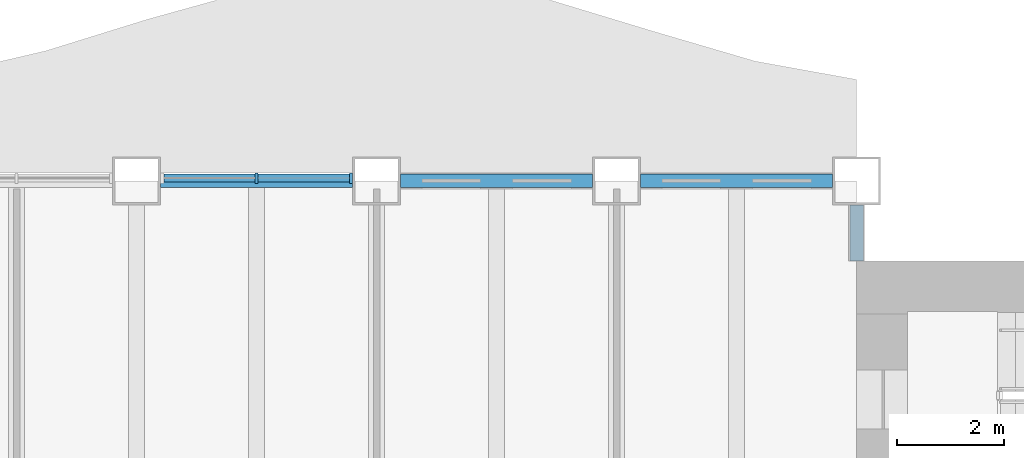
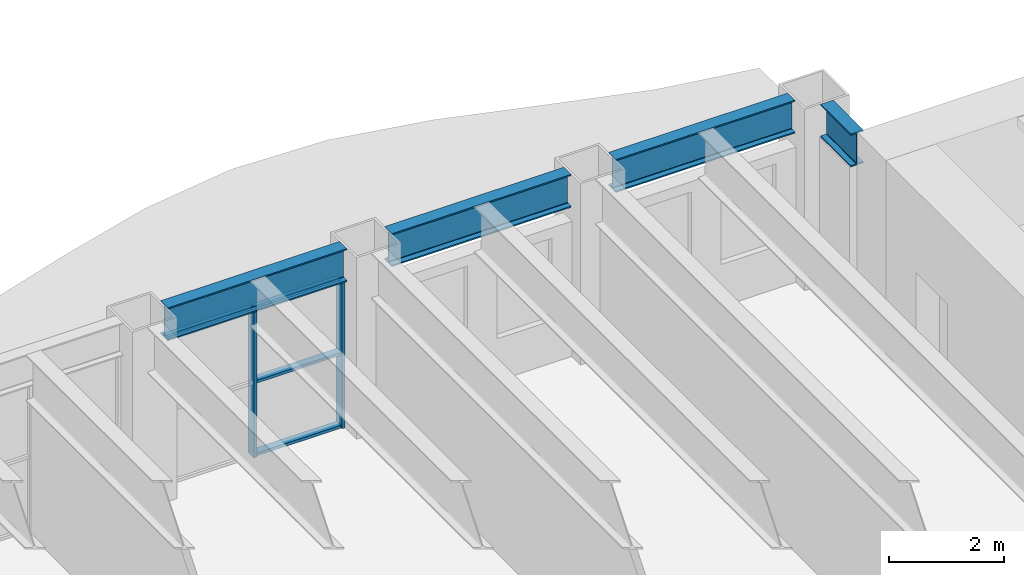
# One storey, part 3 of 17: 6 members, 4 beams, 1 element without a shape of its own.
"""IFC4 building model written with IfcOpenShell, lengths in metres."""

from ifc_helpers import new_model, si_unit, direction, frame, origin, origin_2d, place, context, subcontext, project, spatial, rectangle, i_section, extrude, material, material_profile, profile_set, type_object, element, aggregate, save


model = new_model("IFC4")

# Units and contexts
model_context = context("Model", 3, precision=1e-05, world=origin(), true_north=direction((0.0, 1.0)))
body_context = subcontext(model_context, "Body", "Model", "MODEL_VIEW")
ifc_project = project(units=[si_unit("LENGTHUNIT", "METRE"), si_unit("AREAUNIT", "SQUARE_METRE"), si_unit("VOLUMEUNIT", "CUBIC_METRE"), si_unit("PLANEANGLEUNIT", "RADIAN"), si_unit("MASSUNIT", "GRAM", prefix="KILO")], contexts=[model_context])

# Site, building, storey
site_placement = place(None, origin())
site = spatial("IfcSite", under=ifc_project, at=site_placement, CompositionType="ELEMENT")
building_placement = place(site_placement, origin())
building = spatial("IfcBuilding", under=site, at=building_placement, Name="Sennacour Bend Tower", CompositionType="ELEMENT")
storey_placement = place(building_placement, frame((0.0, 0.0, 151.0)))
storey = spatial("IfcBuildingStorey", under=building, at=storey_placement, Name="L34", CompositionType="ELEMENT", Elevation=151.0)

# Curtain wall, members
ifc_material_1 = material(Name="Bronze anodised aluminium curtain wall with clear glass", Category="aluminium")
curtain_wall_type = type_object("IfcCurtainWallType", Name="CURTAIN WALL BRIDGE", PredefinedType="NOTDEFINED", material=ifc_material_1)
curtain_wall_placement = place(storey_placement, origin())
curtain_wall = element("IfcCurtainWall", 1, at=curtain_wall_placement, inside=storey, type_object=curtain_wall_type, Name="Sky bridge glass wall L34", PredefinedType="NOTDEFINED")
ifc_material_2 = material(Name="Aluminium 6063-T6", Category="aluminium")
ifc_material_profile_1 = material_profile(ifc_material_2, rectangle(XDim=0.199951171875, YDim=0.06005859375, at=origin_2d()), Name="Aluminium 6063-T6", Category="aluminium")
ifc_profile_set_1 = profile_set([ifc_material_profile_1], Name="Aluminium 6063-T6")
member_type_1 = type_object("IfcMemberType", Name="CW-MULLION-200X60", PredefinedType="MULLION", material=ifc_profile_set_1)
member_1_placement = place(storey_placement, frame((44.52001953125, 24.050048828125, 0.0), z_axis=(0.0, 0.0, 1.0), x_axis=(0.0, -1.0, 0.0)))
member_1 = element("IfcMember", 2, at=member_1_placement, type_object=member_type_1, Name="GW5 curtain wall mullion 1", PredefinedType="MULLION", context=body_context, shape_type="SweptSolid", body=[
    extrude(rectangle(XDim=0.199951171875, YDim=0.06005859375, at=origin_2d()), origin(), (0.0, 0.0, 1.0), 3.14892578125),
])
member_2_placement = place(storey_placement, frame((42.75, 24.050048828125, 0.0), z_axis=(0.0, 0.0, 1.0), x_axis=(0.0, -1.0, 0.0)))
member_2 = element("IfcMember", 3, at=member_2_placement, type_object=member_type_1, Name="GW5 curtain wall mullion 2", PredefinedType="MULLION", context=body_context, shape_type="SweptSolid", body=[
    extrude(rectangle(XDim=0.199951171875, YDim=0.06005859375, at=origin_2d()), origin(), (0.0, 0.0, 1.0), 3.14892578125),
])
ifc_material_profile_2 = material_profile(ifc_material_2, rectangle(XDim=0.14990234375, YDim=0.06005859375, at=origin_2d()), Name="Aluminium 6063-T6", Category="aluminium")
ifc_profile_set_2 = profile_set([ifc_material_profile_2], Name="Aluminium 6063-T6")
member_type_2 = type_object("IfcMemberType", Name="CW-TRANSOM-150X60", PredefinedType="USERDEFINED", material=ifc_profile_set_2)
member_3_placement = place(storey_placement, frame((44.489990234375, 24.050048828125, 0.030029296875), z_axis=(-1.0, 0.0, 0.0), x_axis=(0.0, -1.0, 0.0)))
member_3 = element("IfcMember", 4, at=member_3_placement, type_object=member_type_2, Name="GW5 curtain wall transom 1.1", ObjectType="TRANSOM", PredefinedType="USERDEFINED", context=body_context, shape_type="SweptSolid", body=[
    extrude(rectangle(XDim=0.14990234375, YDim=0.06005859375, at=origin_2d()), origin(), (0.0, 0.0, 1.0), 1.7099609375),
])
member_4_placement = place(storey_placement, frame((44.489990234375, 24.050048828125, 1.574951171875), z_axis=(-1.0, 0.0, 0.0), x_axis=(0.0, -1.0, 0.0)))
member_4 = element("IfcMember", 5, at=member_4_placement, type_object=member_type_2, Name="GW5 curtain wall transom 1.2", ObjectType="TRANSOM", PredefinedType="USERDEFINED", context=body_context, shape_type="SweptSolid", body=[
    extrude(rectangle(XDim=0.14990234375, YDim=0.06005859375, at=origin_2d()), origin(), (0.0, 0.0, 1.0), 1.7099609375),
])
member_5_placement = place(storey_placement, frame((44.489990234375, 24.050048828125, 3.118896484375), z_axis=(-1.0, 0.0, 0.0), x_axis=(0.0, -1.0, 0.0)))
member_5 = element("IfcMember", 6, at=member_5_placement, type_object=member_type_2, Name="GW5 curtain wall transom 1.3", ObjectType="TRANSOM", PredefinedType="USERDEFINED", context=body_context, shape_type="SweptSolid", body=[
    extrude(rectangle(XDim=0.14990234375, YDim=0.06005859375, at=origin_2d()), origin(), (0.0, 0.0, 1.0), 1.7099609375),
])
member_6_placement = place(storey_placement, frame((42.719970703125, 24.050048828125, 3.118896484375), z_axis=(-1.0, 0.0, 0.0), x_axis=(0.0, -1.0, 0.0)))
member_6 = element("IfcMember", 7, at=member_6_placement, type_object=member_type_2, Name="GW5 curtain wall transom 2.3", ObjectType="TRANSOM", PredefinedType="USERDEFINED", context=body_context, shape_type="SweptSolid", body=[
    extrude(rectangle(XDim=0.14990234375, YDim=0.06005859375, at=origin_2d()), origin(), (0.0, 0.0, 1.0), 1.7099609375),
])
aggregate(curtain_wall, [member_1, member_2, member_3, member_4, member_5, member_6])

# Beams
ifc_material_3 = material(Name="Steel ASTM A992 Grade 50", Category="steel")
ifc_material_profile_3 = material_profile(ifc_material_3, i_section(OverallWidth=0.25390625, OverallDepth=0.700927734375, WebThickness=0.015380859375, FlangeThickness=0.02783203125, FilletRadius=0.015380859375, at=origin_2d()), Name="Steel ASTM A992 Grade 50", Category="steel")
ifc_profile_set_3 = profile_set([ifc_material_profile_3], Name="Steel ASTM A992 Grade 50")
beam_type = type_object("IfcBeamType", Name="Spandrel beam W690X192", PredefinedType="SPANDREL", material=ifc_profile_set_3)
for number, where, z_axis, x_axis, name in (
    (8, (40.949951171875, 24.0, 3.49951171875), (1.0, 0.0, 0.0), (0.0, 1.0, 0.0), "Spandrel beam SP4 L35-017"),
    (9, (45.449951171875, 24.0, 3.49951171875), (1.0, 0.0, 0.0), (0.0, 1.0, 0.0), "Spandrel beam SP4 L35-018"),
    (10, (49.949951171875, 24.0, 3.49951171875), (1.0, 0.0, 0.0), (0.0, 1.0, 0.0), "Spandrel beam SP4 L35-019"),
):
    element("IfcBeam", number, at=place(storey_placement, frame(where, z_axis=z_axis, x_axis=x_axis)), inside=storey, type_object=beam_type, Name=name, PredefinedType="SPANDREL", context=body_context, shape_type="SweptSolid", body=[
        extrude(i_section(OverallWidth=0.25390625, OverallDepth=0.700927734375, WebThickness=0.015380859375, FlangeThickness=0.02783203125, FilletRadius=0.015380859375, at=origin_2d()), origin(), (0.0, 0.0, 1.0), 3.60009765625),
    ])
beam_placement = place(storey_placement, frame((54.0, 23.550048828125, 3.49951171875), z_axis=(0.0, -1.0, 0.0), x_axis=(1.0, 0.0, 0.0)))
element("IfcBeam", 11, at=beam_placement, inside=storey, type_object=beam_type, Name="Spandrel beam SP4 L35-020", PredefinedType="SPANDREL", context=body_context, shape_type="SweptSolid", body=[
    extrude(i_section(OverallWidth=0.25390625, OverallDepth=0.700927734375, WebThickness=0.015380859375, FlangeThickness=0.02783203125, FilletRadius=0.015380859375, at=origin_2d()), origin(), (0.0, 0.0, 1.0), 1.050048828125),
])

save(model, "model.ifc")
